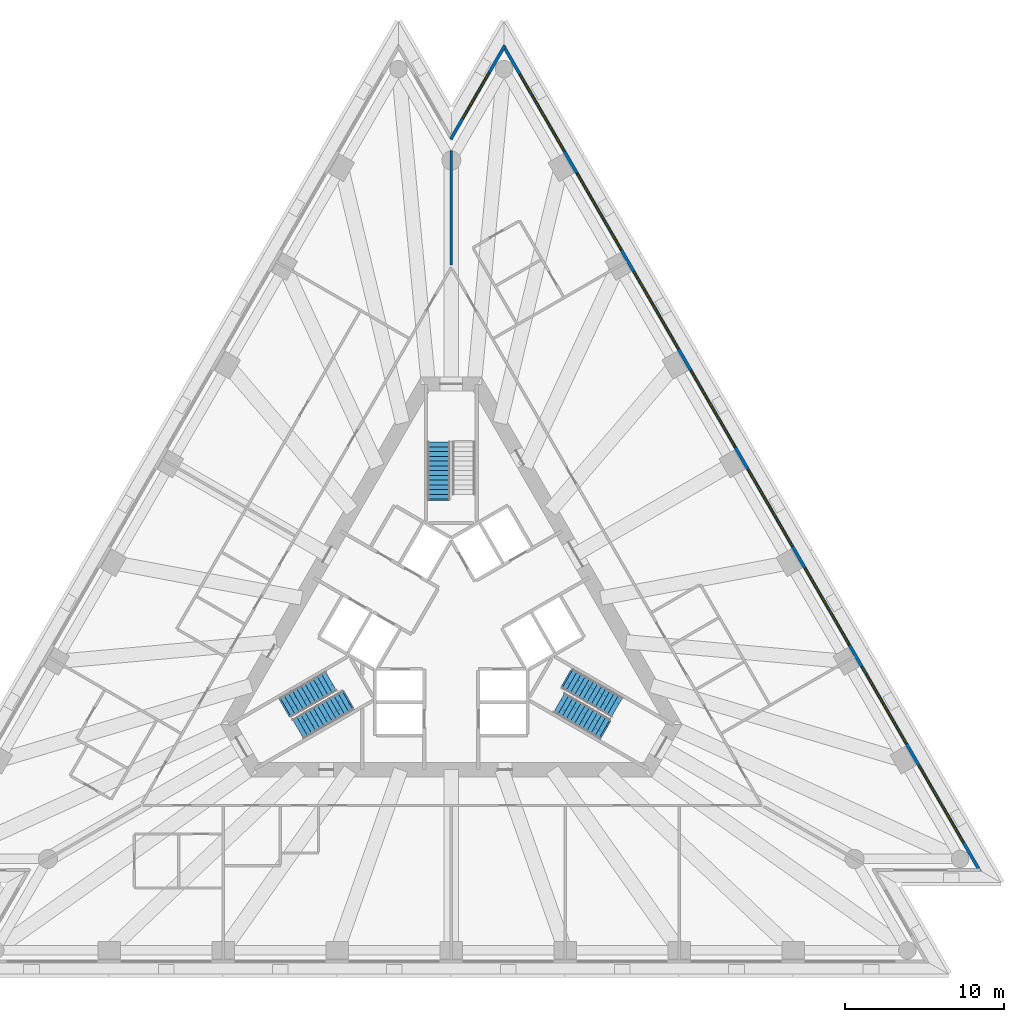
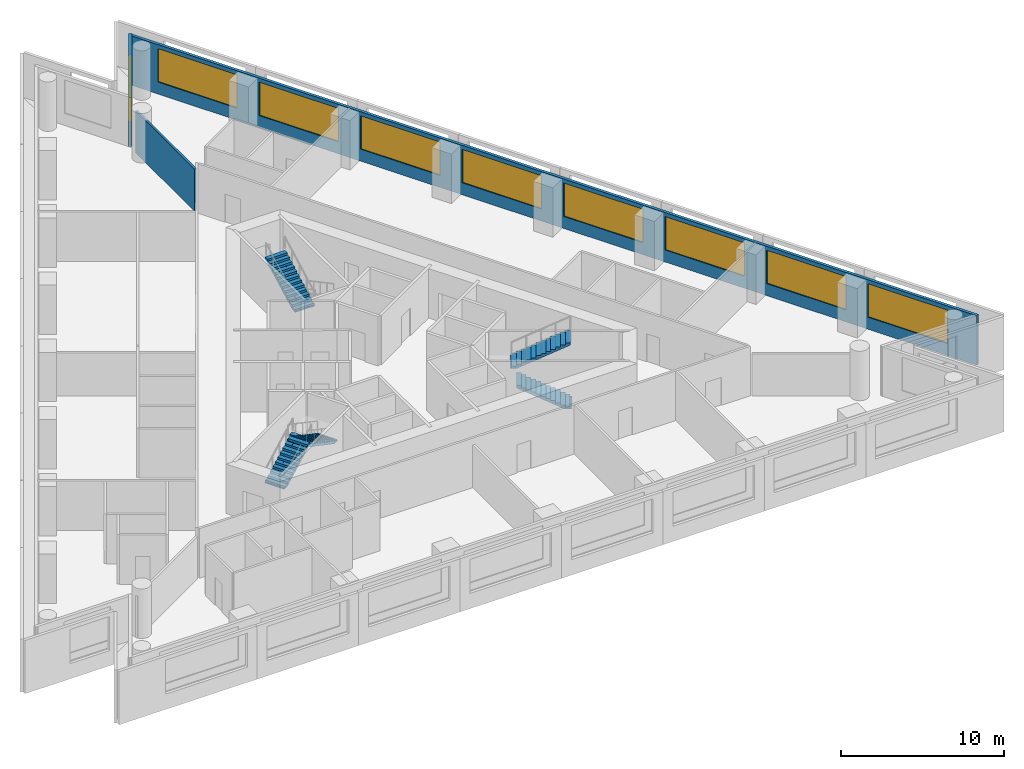
# One storey, part 8 of 11: 9 windows, 5 stair flights, 3 walls, 9 openings, 3 elements without a shape of their own.
"""IFC4 building model written with IfcOpenShell, lengths in metres."""

import ifcopenshell
import ifcopenshell.guid

model = None  # the IFC model being written
_history = None  # IfcOwnerHistory: only IFC2X3 demands one
_inside = {}  # id of a spatial element -> (the spatial element, [elements in it])
_under = {}  # id of a project, library or spatial element -> (it, [spatial elements below it])
_declared = {}  # id of a project -> (the project, [libraries it declares])
_typed = {}  # id of a type object -> (the type object, [elements of that type])
_made_of = {}  # id of a material, layer set ... -> (it, [elements and type objects made of it])


def new_model(schema):
    """Start an empty IFC model of exactly this schema.

    Asked for "IFC4X3", IfcOpenShell would pick the latest addendum, in which some entities
    have other attributes; the version numbers below select the first issue.
    IFC2X3 requires an IfcOwnerHistory on every rooted entity: one is made here for all.
    """
    global model, _history
    if schema == "IFC4X3":
        model = ifcopenshell.file(schema_version=(4, 3, 0, 0))
    else:
        model = ifcopenshell.file(schema=schema)
    _inside.clear()
    _under.clear()
    _declared.clear()
    _typed.clear()
    _made_of.clear()
    _history = None
    if model.schema == "IFC2X3":
        org = make("IfcOrganization", Name="unknown")
        user = make(
            "IfcPersonAndOrganization",
            ThePerson=make("IfcPerson", FamilyName="unknown"),
            TheOrganization=org,
        )
        app = make(
            "IfcApplication",
            ApplicationDeveloper=org,
            Version="unknown",
            ApplicationFullName="unknown",
            ApplicationIdentifier="unknown",
        )
        _history = make(
            "IfcOwnerHistory",
            OwningUser=user,
            OwningApplication=app,
            ChangeAction="ADDED",
            CreationDate=0,
        )
    return model


def make(cls, **values):
    """One entity of the class cls with the attributes given. An attribute that is None is left unset."""
    return model.create_entity(
        cls, **{name: value for name, value in values.items() if value is not None}
    )


def rooted(cls, **values):
    """An entity with a GlobalId (a new one), such as an element, a storey or a relation."""
    return make(cls, GlobalId=ifcopenshell.guid.new(), OwnerHistory=_history, **values)


def si_unit(unit_type, name, prefix=None):
    """IfcSIUnit, for example si_unit("LENGTHUNIT", "METRE", prefix="MILLI")."""
    return make("IfcSIUnit", UnitType=unit_type, Prefix=prefix, Name=name)


def assignment(units):
    """IfcUnitAssignment: the units of a project."""
    return None if units is None else make("IfcUnitAssignment", Units=units)


def point(xyz):
    """IfcCartesianPoint."""
    return None if xyz is None else make("IfcCartesianPoint", Coordinates=xyz)


def direction(xyz):
    """IfcDirection."""
    return None if xyz is None else make("IfcDirection", DirectionRatios=xyz)


def frame(location, z_axis=None, x_axis=None):
    """IfcAxis2Placement3D, a coordinate frame: its origin and axes. An axis left out is left unset."""
    return make(
        "IfcAxis2Placement3D",
        Location=point(location),
        Axis=direction(z_axis),
        RefDirection=direction(x_axis),
    )


def frame_2d(location, x_axis=None):
    """IfcAxis2Placement2D, a coordinate frame in the plane: its origin and x axis."""
    return make(
        "IfcAxis2Placement2D", Location=point(location), RefDirection=direction(x_axis)
    )


def origin():
    """The frame at (0, 0, 0) with its axes left unset."""
    return frame((0.0, 0.0, 0.0))


def place(relative_to, where):
    """IfcLocalPlacement: puts the frame where relative to a parent placement (None: the world)."""
    return make(
        "IfcLocalPlacement", PlacementRelTo=relative_to, RelativePlacement=where
    )


def context(
    kind, dimensions, precision=None, world=None, true_north=None, identifier=None
):
    """IfcGeometricRepresentationContext, for example the 3D "Model" context."""
    return make(
        "IfcGeometricRepresentationContext",
        ContextIdentifier=identifier,
        ContextType=kind,
        CoordinateSpaceDimension=dimensions,
        Precision=precision,
        WorldCoordinateSystem=world,
        TrueNorth=true_north,
    )


def subcontext(parent, identifier, kind, view, scale=None):
    """IfcGeometricRepresentationSubContext, for example "Body" below "Model"."""
    return make(
        "IfcGeometricRepresentationSubContext",
        ContextIdentifier=identifier,
        ContextType=kind,
        ParentContext=parent,
        TargetScale=scale,
        TargetView=view,
    )


def project(units=None, contexts=None):
    """IfcProject with its units and contexts."""
    return rooted(
        "IfcProject",
        Name="project",
        RepresentationContexts=contexts,
        UnitsInContext=assignment(units),
    )


def spatial(cls, under=None, at=None, **own):
    """A site, building, storey or space (cls), placed at a placement, below another one or the project."""
    s = rooted(cls, ObjectPlacement=at, **own)
    if under is not None:
        _under.setdefault(under.id(), (under, []))[1].append(s)
    return s


def polyline(points):
    """IfcPolyline through the points."""
    return make("IfcPolyline", Points=[point(p) for p in points])


def profile(cls, at=None, kind="AREA", **sizes):
    """A parametric profile (cls). Its sizes go by their IFC names, for example OverallWidth=200.0."""
    return make(cls, ProfileType=kind, Position=at, **sizes)


def rectangle(**sizes):
    """IfcRectangleProfileDef."""
    return profile("IfcRectangleProfileDef", **sizes)


def outline(outer, holes=None, kind="AREA"):
    """IfcArbitraryClosedProfileDef: a profile drawn as a closed curve; with holes, ...WithVoids."""
    if holes is None:
        return make("IfcArbitraryClosedProfileDef", ProfileType=kind, OuterCurve=outer)
    return make(
        "IfcArbitraryProfileDefWithVoids",
        ProfileType=kind,
        OuterCurve=outer,
        InnerCurves=holes,
    )


def extrude(swept, where, along, depth):
    """IfcExtrudedAreaSolid: the profile swept, set in the frame where, extruded along a direction by depth."""
    return make(
        "IfcExtrudedAreaSolid",
        SweptArea=swept,
        Position=where,
        ExtrudedDirection=direction(along),
        Depth=depth,
    )


def shape(context_of_items, identifier, shape_type, items):
    """IfcShapeRepresentation: the items that make up one representation, for example the "Body"."""
    return make(
        "IfcShapeRepresentation",
        ContextOfItems=context_of_items,
        RepresentationIdentifier=identifier,
        RepresentationType=shape_type,
        Items=items,
    )


def material(Name=None, Category=None):
    """IfcMaterial."""
    return make("IfcMaterial", Name=Name, Category=Category)


def layer(
    of_material, thickness, ventilated=None, Name=None, Category=None, Priority=None
):
    """IfcMaterialLayer: one layer of a wall or slab, of a material (None: an air gap)."""
    return make(
        "IfcMaterialLayer",
        Material=of_material,
        LayerThickness=thickness,
        IsVentilated=ventilated,
        Name=Name,
        Category=Category,
        Priority=Priority,
    )


def layer_set(layers, Name=None):
    """IfcMaterialLayerSet."""
    return make("IfcMaterialLayerSet", MaterialLayers=layers, LayerSetName=Name)


def layer_usage(for_layer_set, set_direction, sense, offset, extent=None):
    """IfcMaterialLayerSetUsage: how a layer set lies in its element."""
    return make(
        "IfcMaterialLayerSetUsage",
        ForLayerSet=for_layer_set,
        LayerSetDirection=set_direction,
        DirectionSense=sense,
        OffsetFromReferenceLine=offset,
        ReferenceExtent=extent,
    )


def made_of(thing, what):
    """Note that an element or type object is made of a material, layer set ...; save() writes the relation."""
    if what is not None:
        _made_of.setdefault(what.id(), (what, []))[1].append(thing)
    return thing


def type_object(cls, material=None, **own):
    """A type object (cls), such as IfcWallType, which elements share."""
    return made_of(rooted(cls, **own), material)


def element(
    cls,
    number,
    at=None,
    inside=None,
    cuts=None,
    type_object=None,
    material=None,
    context=None,
    identifier="Body",
    shape_type=None,
    held_by="IfcProductDefinitionShape",
    body=None,
    shapes=None,
    **own,
):
    """One element of the class cls, such as IfcWall. Its Tag is "e" and its number.

    at: its placement. inside: the storey or other place that contains it. cuts: it is an
    opening in that element (IfcRelVoidsElement). A single representation is given by context,
    identifier, shape_type and body (its items); several are given by shapes. held_by: the class
    of the entity that holds the representations. save() writes the other relations.
    """
    e = rooted(cls, Tag="e%d" % number, ObjectPlacement=at, **own)
    if body is not None:
        shapes = [shape(context, identifier, shape_type, body)]
    if shapes is not None:
        e.Representation = make(held_by, Representations=shapes)
    if inside is not None:
        _inside.setdefault(inside.id(), (inside, []))[1].append(e)
    if cuts is not None:
        rooted(
            "IfcRelVoidsElement", RelatingBuildingElement=cuts, RelatedOpeningElement=e
        )
    if type_object is not None:
        _typed.setdefault(type_object.id(), (type_object, []))[1].append(e)
    return made_of(e, material)


def fill(opening, filler):
    """IfcRelFillsElement: the door or window that sits in an opening."""
    return rooted(
        "IfcRelFillsElement",
        RelatingOpeningElement=opening,
        RelatedBuildingElement=filler,
    )


def aggregate(whole, parts):
    """IfcRelAggregates: a whole, such as a stair, and the parts it consists of."""
    return rooted("IfcRelAggregates", RelatingObject=whole, RelatedObjects=parts)


def save(model, path):
    """Write the relations noted so far, then the file.

    IfcRelAggregates (storeys below a building ...), IfcRelContainedInSpatialStructure (elements
    in a storey), IfcRelDefinesByType, IfcRelAssociatesMaterial and IfcRelDeclares: one each for
    every whole, place, type object, material and project.
    """
    for whole, parts in _under.values():
        aggregate(whole, parts)
    for where, things in _inside.values():
        rooted(
            "IfcRelContainedInSpatialStructure",
            RelatedElements=things,
            RelatingStructure=where,
        )
    for kind, things in _typed.values():
        rooted("IfcRelDefinesByType", RelatedObjects=things, RelatingType=kind)
    for what, things in _made_of.values():
        rooted("IfcRelAssociatesMaterial", RelatedObjects=things, RelatingMaterial=what)
    for by, libraries in _declared.values():
        rooted("IfcRelDeclares", RelatingContext=by, RelatedDefinitions=libraries)
    model.write(path)


model = new_model("IFC4")

# Units and contexts
model_context = context("Model", 3, precision=1e-05, world=origin(), true_north=direction((0.0, 1.0)))
body_context = subcontext(model_context, "Body", "Model", "MODEL_VIEW")
ifc_project = project(units=[si_unit("LENGTHUNIT", "METRE"), si_unit("AREAUNIT", "SQUARE_METRE"), si_unit("VOLUMEUNIT", "CUBIC_METRE"), si_unit("PLANEANGLEUNIT", "RADIAN"), si_unit("MASSUNIT", "GRAM", prefix="KILO")], contexts=[model_context])

# Site, building, storey
site_placement = place(None, origin())
site = spatial("IfcSite", under=ifc_project, at=site_placement, CompositionType="ELEMENT")
building_placement = place(site_placement, origin())
building = spatial("IfcBuilding", under=site, at=building_placement, Name="Triada Interchange Tower", CompositionType="ELEMENT")
storey_placement = place(building_placement, frame((0.0, 0.0, 91.300048828125)))
storey = spatial("IfcBuildingStorey", under=building, at=storey_placement, Name="L20", CompositionType="ELEMENT", Elevation=91.300048828125)

# Wall, openings, windows
ifc_material_1 = material(Name="Cement board")
ifc_layer_1 = layer(ifc_material_1, 0.02001953125, Name="Cement board cladding")
ifc_material_2 = material(Name="Sheathing board")
ifc_layer_2 = layer(ifc_material_2, 0.014892578125, Name="Sheathing board")
ifc_material_3 = material(Name="Mineral wool")
ifc_layer_3 = layer(ifc_material_3, 0.14990234375, Name="Mineral wool between steel studs")
ifc_material_4 = material(Name="Gypsum board")
ifc_layer_4 = layer(ifc_material_4, 0.014892578125, Name="Plasterboard lining")
ifc_layer_set_1 = layer_set([ifc_layer_1, ifc_layer_2, ifc_layer_3, ifc_layer_4], Name="External wall 200")
ifc_layer_usage = layer_usage(ifc_layer_set_1, "AXIS2", "POSITIVE", -0.10009765625)
wall_type_1 = type_object("IfcWallType", Name="External wall 200", PredefinedType="ELEMENTEDWALL", material=ifc_layer_set_1)
wall_1_placement = place(storey_placement, frame((33.31689453125, -15.447998046875, 0.0), z_axis=(0.0, 0.0, 1.0), x_axis=(-0.499999874703, 0.866025476125, 0.0)))
wall_1 = element("IfcWall", 1, at=wall_1_placement, inside=storey, type_object=wall_type_1, material=ifc_layer_usage, Name="External wall L20 NE", PredefinedType="ELEMENTEDWALL", context=body_context, shape_type="SweptSolid", body=[
    extrude(rectangle(XDim=60.0537109375, YDim=0.199951171875, at=frame_2d((30.02685546875, 0.0))), origin(), (0.0, 0.0, 1.0), 3.699951171875),
])
opening_1_placement = place(wall_1_placement, frame((2.093994140625, 0.0, 0.89990234375)))
opening_1 = element("IfcOpeningElement", 2, at=opening_1_placement, cuts=wall_1, Name="Opening WA21", PredefinedType="OPENING", context=body_context, shape_type="SweptSolid", body=[
    extrude(rectangle(XDim=5.60009765625, YDim=2.5, at=frame_2d((2.800048828125, 1.25))), frame((0.0, 0.10986328125, 0.0), z_axis=(0.0, -1.0, 0.0), x_axis=(1.0, 0.0, 0.0)), (0.0, 0.0, 1.0), 0.219970703125),
])
opening_2_placement = place(wall_1_placement, frame((9.278076171875, 0.0, 0.89990234375)))
opening_2 = element("IfcOpeningElement", 3, at=opening_2_placement, cuts=wall_1, Name="Opening WA22", PredefinedType="OPENING", context=body_context, shape_type="SweptSolid", body=[
    extrude(rectangle(XDim=5.60009765625, YDim=2.5, at=frame_2d((2.800048828125, 1.25))), frame((0.0, 0.10986328125, 0.0), z_axis=(0.0, -1.0, 0.0), x_axis=(1.0, 0.0, 0.0)), (0.0, 0.0, 1.0), 0.219970703125),
])
opening_3_placement = place(wall_1_placement, frame((16.4619140625, 0.0, 0.89990234375)))
opening_3 = element("IfcOpeningElement", 4, at=opening_3_placement, cuts=wall_1, Name="Opening WA23", PredefinedType="OPENING", context=body_context, shape_type="SweptSolid", body=[
    extrude(rectangle(XDim=5.60009765625, YDim=2.5, at=frame_2d((2.800048828125, 1.25))), frame((0.0, 0.10986328125, 0.0), z_axis=(0.0, -1.0, 0.0), x_axis=(1.0, 0.0, 0.0)), (0.0, 0.0, 1.0), 0.219970703125),
])
opening_4_placement = place(wall_1_placement, frame((23.64501953125, 0.0, 0.89990234375)))
opening_4 = element("IfcOpeningElement", 5, at=opening_4_placement, cuts=wall_1, Name="Opening WA24", PredefinedType="OPENING", context=body_context, shape_type="SweptSolid", body=[
    extrude(rectangle(XDim=5.60009765625, YDim=2.5, at=frame_2d((2.800048828125, 1.25))), frame((0.0, 0.10986328125, 0.0), z_axis=(0.0, -1.0, 0.0), x_axis=(1.0, 0.0, 0.0)), (0.0, 0.0, 1.0), 0.219970703125),
])
opening_5_placement = place(wall_1_placement, frame((30.8291015625, 0.0, 0.89990234375)))
opening_5 = element("IfcOpeningElement", 6, at=opening_5_placement, cuts=wall_1, Name="Opening WA25", PredefinedType="OPENING", context=body_context, shape_type="SweptSolid", body=[
    extrude(rectangle(XDim=5.60009765625, YDim=2.5, at=frame_2d((2.800048828125, 1.25))), frame((0.0, 0.10986328125, 0.0), z_axis=(0.0, -1.0, 0.0), x_axis=(1.0, 0.0, 0.0)), (0.0, 0.0, 1.0), 0.219970703125),
])
opening_6_placement = place(wall_1_placement, frame((38.011962890625, 0.0, 0.89990234375)))
opening_6 = element("IfcOpeningElement", 7, at=opening_6_placement, cuts=wall_1, Name="Opening WA26", PredefinedType="OPENING", context=body_context, shape_type="SweptSolid", body=[
    extrude(rectangle(XDim=5.60009765625, YDim=2.5, at=frame_2d((2.800048828125, 1.25))), frame((0.0, 0.10986328125, 0.0), z_axis=(0.0, -1.0, 0.0), x_axis=(1.0, 0.0, 0.0)), (0.0, 0.0, 1.0), 0.219970703125),
])
opening_7_placement = place(wall_1_placement, frame((45.196044921875, 0.0, 0.89990234375)))
opening_7 = element("IfcOpeningElement", 8, at=opening_7_placement, cuts=wall_1, Name="Opening WA27", PredefinedType="OPENING", context=body_context, shape_type="SweptSolid", body=[
    extrude(rectangle(XDim=5.60009765625, YDim=2.5, at=frame_2d((2.800048828125, 1.25))), frame((0.0, 0.10986328125, 0.0), z_axis=(0.0, -1.0, 0.0), x_axis=(1.0, 0.0, 0.0)), (0.0, 0.0, 1.0), 0.219970703125),
])
opening_8_placement = place(wall_1_placement, frame((52.37890625, 0.0, 0.89990234375)))
opening_8 = element("IfcOpeningElement", 9, at=opening_8_placement, cuts=wall_1, Name="Opening WA28", PredefinedType="OPENING", context=body_context, shape_type="SweptSolid", body=[
    extrude(rectangle(XDim=5.60009765625, YDim=2.5, at=frame_2d((2.800048828125, 1.25))), frame((0.0, 0.10986328125, 0.0), z_axis=(0.0, -1.0, 0.0), x_axis=(1.0, 0.0, 0.0)), (0.0, 0.0, 1.0), 0.219970703125),
])
ifc_material_5 = material(Name="Double glazed aluminium window", Category="aluminium")
window_type_1 = type_object("IfcWindowType", Name="Ribbon window A face", PartitioningType="SINGLE_PANEL", PredefinedType="WINDOW", material=ifc_material_5)
window_1_placement = place(opening_1_placement, origin())
window_1 = element("IfcWindow", 10, at=window_1_placement, inside=storey, type_object=window_type_1, Name="Window L20 NE 1", OverallHeight=2.5, OverallWidth=5.60009765625, PartitioningType="SINGLE_PANEL", PredefinedType="WINDOW", context=body_context, shape_type="SweptSolid", body=[
    extrude(rectangle(XDim=5.60009765625, YDim=2.5, at=frame_2d((2.800048828125, 1.25))), frame((0.0, 0.030029296875, 0.0), z_axis=(0.0, -1.0, 0.0), x_axis=(1.0, 0.0, 0.0)), (0.0, 0.0, 1.0), 0.06005859375),
])
fill(opening_1, window_1)
window_2_placement = place(opening_2_placement, origin())
window_2 = element("IfcWindow", 11, at=window_2_placement, inside=storey, type_object=window_type_1, Name="Window L20 NE 2", OverallHeight=2.5, OverallWidth=5.60009765625, PartitioningType="SINGLE_PANEL", PredefinedType="WINDOW", context=body_context, shape_type="SweptSolid", body=[
    extrude(rectangle(XDim=5.60009765625, YDim=2.5, at=frame_2d((2.800048828125, 1.25))), frame((0.0, 0.030029296875, 0.0), z_axis=(0.0, -1.0, 0.0), x_axis=(1.0, 0.0, 0.0)), (0.0, 0.0, 1.0), 0.06005859375),
])
fill(opening_2, window_2)
window_3_placement = place(opening_3_placement, origin())
window_3 = element("IfcWindow", 12, at=window_3_placement, inside=storey, type_object=window_type_1, Name="Window L20 NE 3", OverallHeight=2.5, OverallWidth=5.60009765625, PartitioningType="SINGLE_PANEL", PredefinedType="WINDOW", context=body_context, shape_type="SweptSolid", body=[
    extrude(rectangle(XDim=5.60009765625, YDim=2.5, at=frame_2d((2.800048828125, 1.25))), frame((0.0, 0.030029296875, 0.0), z_axis=(0.0, -1.0, 0.0), x_axis=(1.0, 0.0, 0.0)), (0.0, 0.0, 1.0), 0.06005859375),
])
fill(opening_3, window_3)
window_4_placement = place(opening_4_placement, origin())
window_4 = element("IfcWindow", 13, at=window_4_placement, inside=storey, type_object=window_type_1, Name="Window L20 NE 4", OverallHeight=2.5, OverallWidth=5.60009765625, PartitioningType="SINGLE_PANEL", PredefinedType="WINDOW", context=body_context, shape_type="SweptSolid", body=[
    extrude(rectangle(XDim=5.60009765625, YDim=2.5, at=frame_2d((2.800048828125, 1.25))), frame((0.0, 0.030029296875, 0.0), z_axis=(0.0, -1.0, 0.0), x_axis=(1.0, 0.0, 0.0)), (0.0, 0.0, 1.0), 0.06005859375),
])
fill(opening_4, window_4)
window_5_placement = place(opening_5_placement, origin())
window_5 = element("IfcWindow", 14, at=window_5_placement, inside=storey, type_object=window_type_1, Name="Window L20 NE 5", OverallHeight=2.5, OverallWidth=5.60009765625, PartitioningType="SINGLE_PANEL", PredefinedType="WINDOW", context=body_context, shape_type="SweptSolid", body=[
    extrude(rectangle(XDim=5.60009765625, YDim=2.5, at=frame_2d((2.800048828125, 1.25))), frame((0.0, 0.030029296875, 0.0), z_axis=(0.0, -1.0, 0.0), x_axis=(1.0, 0.0, 0.0)), (0.0, 0.0, 1.0), 0.06005859375),
])
fill(opening_5, window_5)
window_6_placement = place(opening_6_placement, origin())
window_6 = element("IfcWindow", 15, at=window_6_placement, inside=storey, type_object=window_type_1, Name="Window L20 NE 6", OverallHeight=2.5, OverallWidth=5.60009765625, PartitioningType="SINGLE_PANEL", PredefinedType="WINDOW", context=body_context, shape_type="SweptSolid", body=[
    extrude(rectangle(XDim=5.60009765625, YDim=2.5, at=frame_2d((2.800048828125, 1.25))), frame((0.0, 0.030029296875, 0.0), z_axis=(0.0, -1.0, 0.0), x_axis=(1.0, 0.0, 0.0)), (0.0, 0.0, 1.0), 0.06005859375),
])
fill(opening_6, window_6)
window_7_placement = place(opening_7_placement, origin())
window_7 = element("IfcWindow", 16, at=window_7_placement, inside=storey, type_object=window_type_1, Name="Window L20 NE 7", OverallHeight=2.5, OverallWidth=5.60009765625, PartitioningType="SINGLE_PANEL", PredefinedType="WINDOW", context=body_context, shape_type="SweptSolid", body=[
    extrude(rectangle(XDim=5.60009765625, YDim=2.5, at=frame_2d((2.800048828125, 1.25))), frame((0.0, 0.030029296875, 0.0), z_axis=(0.0, -1.0, 0.0), x_axis=(1.0, 0.0, 0.0)), (0.0, 0.0, 1.0), 0.06005859375),
])
fill(opening_7, window_7)
window_8_placement = place(opening_8_placement, origin())
window_8 = element("IfcWindow", 17, at=window_8_placement, inside=storey, type_object=window_type_1, Name="Window L20 NE 8", OverallHeight=2.5, OverallWidth=5.60009765625, PartitioningType="SINGLE_PANEL", PredefinedType="WINDOW", context=body_context, shape_type="SweptSolid", body=[
    extrude(rectangle(XDim=5.60009765625, YDim=2.5, at=frame_2d((2.800048828125, 1.25))), frame((0.0, 0.030029296875, 0.0), z_axis=(0.0, -1.0, 0.0), x_axis=(1.0, 0.0, 0.0)), (0.0, 0.0, 1.0), 0.06005859375),
])
fill(opening_8, window_8)

# Wall, opening, window
wall_2_placement = place(storey_placement, frame((3.3701171875, 36.576904296875, 0.0), z_axis=(0.0, 0.0, 1.0), x_axis=(-0.499983120418, -0.866035148996, 0.0)))
wall_2 = element("IfcWall", 18, at=wall_2_placement, inside=storey, type_object=wall_type_1, material=ifc_layer_usage, Name="External wall L20 N-1", PredefinedType="ELEMENTEDWALL", context=body_context, shape_type="SweptSolid", body=[
    extrude(rectangle(XDim=6.810302734375, YDim=0.199951171875, at=frame_2d((3.4052734375, 0.0))), origin(), (0.0, 0.0, 1.0), 3.699951171875),
])
opening_9_placement = place(wall_2_placement, frame((1.989990234375, 0.0, 0.89990234375)))
opening_9 = element("IfcOpeningElement", 19, at=opening_9_placement, cuts=wall_2, Name="Opening WA29", PredefinedType="OPENING", context=body_context, shape_type="SweptSolid", body=[
    extrude(rectangle(XDim=3.300048828125, YDim=2.5, at=frame_2d((1.64990234375, 1.25))), frame((0.0, 0.10986328125, 0.0), z_axis=(0.0, -1.0, 0.0), x_axis=(1.0, 0.0, 0.0)), (0.0, 0.0, 1.0), 0.219970703125),
])
window_type_2 = type_object("IfcWindowType", Name="Ribbon window A pocket", PartitioningType="SINGLE_PANEL", PredefinedType="WINDOW", material=ifc_material_5)
window_9_placement = place(opening_9_placement, origin())
window_9 = element("IfcWindow", 20, at=window_9_placement, inside=storey, type_object=window_type_2, Name="Window L20 N-1 1", OverallHeight=2.5, OverallWidth=3.300048828125, PartitioningType="SINGLE_PANEL", PredefinedType="WINDOW", context=body_context, shape_type="SweptSolid", body=[
    extrude(rectangle(XDim=3.300048828125, YDim=2.5, at=frame_2d((1.64990234375, 1.25))), frame((0.0, 0.030029296875, 0.0), z_axis=(0.0, -1.0, 0.0), x_axis=(1.0, 0.0, 0.0)), (0.0, 0.0, 1.0), 0.06005859375),
])
fill(opening_9, window_9)

# Wall
ifc_material_6 = material(Name="Gypsum board partition")
ifc_layer_5 = layer(ifc_material_6, 0.14990234375)
ifc_layer_set_2 = layer_set([ifc_layer_5], Name="PARTITION 150 EI 180")
wall_type_2 = type_object("IfcWallType", Name="PARTITION 150 EI 180", PredefinedType="PARTITIONING", material=ifc_layer_set_2)
wall_3_placement = place(storey_placement, frame((0.0, 22.75, 0.0), z_axis=(0.0, 0.0, 1.0), x_axis=(0.0, 1.0, 0.0)))
element("IfcWall", 21, at=wall_3_placement, inside=storey, type_object=wall_type_2, Name="Wall L18 18", PredefinedType="PARTITIONING", context=body_context, shape_type="SweptSolid", body=[
    extrude(rectangle(XDim=7.2099609375, YDim=0.14990234375, at=frame_2d((3.60498046875, 0.0))), origin(), (0.0, 0.0, 1.0), 3.14990234375),
])

# Stair, stair flight
ifc_material_7 = material(Name="Concrete C35/45", Category="concrete")
stair_type = type_object("IfcStairType", Name="HALF TURN STAIR 1400", PredefinedType="HALF_TURN_STAIR", material=ifc_material_7)
stair_1_placement = place(storey_placement, origin())
stair_1 = element("IfcStair", 22, at=stair_1_placement, inside=storey, type_object=stair_type, Name="Exit stair S18-1", PredefinedType="HALF_TURN_STAIR")
stair_flight_type = type_object("IfcStairFlightType", Name="STRAIGHT STAIR FLIGHT 1400", PredefinedType="STRAIGHT", material=ifc_material_7)
stair_flight_1_placement = place(storey_placement, frame((-0.800048828125, 8.0, 1.919921875), z_axis=(0.0, 0.0, 1.0), x_axis=(0.0, 1.0, 0.0)))
stair_flight_1 = element("IfcStairFlight", 23, at=stair_flight_1_placement, type_object=stair_flight_type, Name="S18-1 flight 2", NumberOfRisers=13, NumberOfTreads=12, PredefinedType="STRAIGHT", RiserHeight=0.16, TreadLength=0.3, context=body_context, shape_type="SweptSolid", body=[
    extrude(outline(polyline([(-0.10009765625, 0.0), (-0.10009765625, 0.02001953125), (0.0, 0.02001953125), (0.0, 0.159912109375), (0.300048828125, 0.159912109375), (0.300048828125, 0.320068359375), (0.60009765625, 0.320068359375), (0.60009765625, 0.47998046875), (0.89990234375, 0.47998046875), (0.89990234375, 0.639892578125), (1.199951171875, 0.639892578125), (1.199951171875, 0.800048828125), (1.5, 0.800048828125), (1.5, 0.9599609375), (1.800048828125, 0.9599609375), (1.800048828125, 1.1201171875), (2.10009765625, 1.1201171875), (2.10009765625, 1.280029296875), (2.39990234375, 1.280029296875), (2.39990234375, 1.43994140625), (2.699951171875, 1.43994140625), (2.699951171875, 1.60009765625), (3.0, 1.60009765625), (3.0, 1.760009765625), (3.300048828125, 1.760009765625), (3.300048828125, 1.919921875), (3.60009765625, 1.919921875), (3.60400390625, 1.919921875), (3.60400390625, 2.080078125), (3.60400390625, 1.75), (0.318603515625, 0.0), (-0.10009765625, 0.0)])), frame((0.0, 0.699951171875, 0.0), z_axis=(0.0, -1.0, 0.0), x_axis=(1.0, 0.0, 0.0)), (0.0, 0.0, 1.0), 0.46533203125),
    extrude(outline(polyline([(-0.10009765625, 0.0), (-0.10009765625, 0.02001953125), (0.0, 0.02001953125), (0.0, 0.159912109375), (0.300048828125, 0.159912109375), (0.300048828125, 0.320068359375), (0.60009765625, 0.320068359375), (0.60009765625, 0.47998046875), (0.89990234375, 0.47998046875), (0.89990234375, 0.639892578125), (1.199951171875, 0.639892578125), (1.199951171875, 0.800048828125), (1.5, 0.800048828125), (1.5, 0.9599609375), (1.800048828125, 0.9599609375), (1.800048828125, 1.1201171875), (2.10009765625, 1.1201171875), (2.10009765625, 1.280029296875), (2.39990234375, 1.280029296875), (2.39990234375, 1.43994140625), (2.699951171875, 1.43994140625), (2.699951171875, 1.60009765625), (3.0, 1.60009765625), (3.0, 1.760009765625), (3.300048828125, 1.760009765625), (3.300048828125, 1.919921875), (3.60009765625, 1.919921875), (3.60400390625, 1.919921875), (3.60400390625, 2.080078125), (3.60400390625, 1.75), (0.318603515625, 0.0), (-0.10009765625, 0.0)])), frame((0.0, 0.232666015625, 0.0), z_axis=(0.0, -1.0, 0.0), x_axis=(1.0, 0.0, 0.0)), (0.0, 0.0, 1.0), 0.46533203125),
    extrude(outline(polyline([(-0.10009765625, 0.0), (-0.10009765625, 0.02001953125), (0.0, 0.02001953125), (0.0, 0.159912109375), (0.300048828125, 0.159912109375), (0.300048828125, 0.320068359375), (0.60009765625, 0.320068359375), (0.60009765625, 0.47998046875), (0.89990234375, 0.47998046875), (0.89990234375, 0.639892578125), (1.199951171875, 0.639892578125), (1.199951171875, 0.800048828125), (1.5, 0.800048828125), (1.5, 0.9599609375), (1.800048828125, 0.9599609375), (1.800048828125, 1.1201171875), (2.10009765625, 1.1201171875), (2.10009765625, 1.280029296875), (2.39990234375, 1.280029296875), (2.39990234375, 1.43994140625), (2.699951171875, 1.43994140625), (2.699951171875, 1.60009765625), (3.0, 1.60009765625), (3.0, 1.760009765625), (3.300048828125, 1.760009765625), (3.300048828125, 1.919921875), (3.60009765625, 1.919921875), (3.60400390625, 1.919921875), (3.60400390625, 2.080078125), (3.60400390625, 1.75), (0.318603515625, 0.0), (-0.10009765625, 0.0)])), frame((0.0, -0.234619140625, 0.0), z_axis=(0.0, -1.0, 0.0), x_axis=(1.0, 0.0, 0.0)), (0.0, 0.0, 1.0), 0.46533203125),
])
aggregate(stair_1, [stair_flight_1])

# Stair, stair flights
stair_2_placement = place(storey_placement, origin())
stair_2 = element("IfcStair", 24, at=stair_2_placement, inside=storey, type_object=stair_type, Name="Exit stair S18-2", PredefinedType="HALF_TURN_STAIR")
stair_flight_2_placement = place(storey_placement, frame((-10.446044921875, -5.10693359375, 0.0), z_axis=(0.0, 0.0, 1.0), x_axis=(0.866025403784, 0.5, 0.0)))
stair_flight_2 = element("IfcStairFlight", 25, at=stair_flight_2_placement, type_object=stair_flight_type, Name="S18-2 flight 1", NumberOfRisers=12, NumberOfTreads=11, PredefinedType="STRAIGHT", RiserHeight=0.16, TreadLength=0.3, context=body_context, shape_type="SweptSolid", body=[
    extrude(outline(polyline([(-0.10009765625, 0.0), (-0.10009765625, 0.02001953125), (0.0, 0.02001953125), (0.0, 0.159912109375), (0.300048828125, 0.159912109375), (0.300048828125, 0.320068359375), (0.60009765625, 0.320068359375), (0.60009765625, 0.47998046875), (0.89990234375, 0.47998046875), (0.89990234375, 0.639892578125), (1.199951171875, 0.639892578125), (1.199951171875, 0.800048828125), (1.5, 0.800048828125), (1.5, 0.9599609375), (1.800048828125, 0.9599609375), (1.800048828125, 1.1201171875), (2.10009765625, 1.1201171875), (2.10009765625, 1.280029296875), (2.39990234375, 1.280029296875), (2.39990234375, 1.43994140625), (2.699951171875, 1.43994140625), (2.699951171875, 1.60009765625), (3.0, 1.60009765625), (3.0, 1.760009765625), (3.300048828125, 1.760009765625), (3.303955078125, 1.760009765625), (3.303955078125, 1.919921875), (3.303955078125, 1.590087890625), (0.318603515625, 0.0), (-0.10009765625, 0.0)])), frame((0.0, 0.699951171875, 0.0), z_axis=(0.0, -1.0, 0.0), x_axis=(1.0, 0.0, 0.0)), (0.0, 0.0, 1.0), 0.46533203125),
    extrude(outline(polyline([(-0.10009765625, 0.0), (-0.10009765625, 0.02001953125), (0.0, 0.02001953125), (0.0, 0.159912109375), (0.300048828125, 0.159912109375), (0.300048828125, 0.320068359375), (0.60009765625, 0.320068359375), (0.60009765625, 0.47998046875), (0.89990234375, 0.47998046875), (0.89990234375, 0.639892578125), (1.199951171875, 0.639892578125), (1.199951171875, 0.800048828125), (1.5, 0.800048828125), (1.5, 0.9599609375), (1.800048828125, 0.9599609375), (1.800048828125, 1.1201171875), (2.10009765625, 1.1201171875), (2.10009765625, 1.280029296875), (2.39990234375, 1.280029296875), (2.39990234375, 1.43994140625), (2.699951171875, 1.43994140625), (2.699951171875, 1.60009765625), (3.0, 1.60009765625), (3.0, 1.760009765625), (3.300048828125, 1.760009765625), (3.303955078125, 1.760009765625), (3.303955078125, 1.919921875), (3.303955078125, 1.590087890625), (0.318603515625, 0.0), (-0.10009765625, 0.0)])), frame((0.0, 0.232666015625, 0.0), z_axis=(0.0, -1.0, 0.0), x_axis=(1.0, 0.0, 0.0)), (0.0, 0.0, 1.0), 0.46533203125),
    extrude(outline(polyline([(-0.10009765625, 0.0), (-0.10009765625, 0.02001953125), (0.0, 0.02001953125), (0.0, 0.159912109375), (0.300048828125, 0.159912109375), (0.300048828125, 0.320068359375), (0.60009765625, 0.320068359375), (0.60009765625, 0.47998046875), (0.89990234375, 0.47998046875), (0.89990234375, 0.639892578125), (1.199951171875, 0.639892578125), (1.199951171875, 0.800048828125), (1.5, 0.800048828125), (1.5, 0.9599609375), (1.800048828125, 0.9599609375), (1.800048828125, 1.1201171875), (2.10009765625, 1.1201171875), (2.10009765625, 1.280029296875), (2.39990234375, 1.280029296875), (2.39990234375, 1.43994140625), (2.699951171875, 1.43994140625), (2.699951171875, 1.60009765625), (3.0, 1.60009765625), (3.0, 1.760009765625), (3.300048828125, 1.760009765625), (3.303955078125, 1.760009765625), (3.303955078125, 1.919921875), (3.303955078125, 1.590087890625), (0.318603515625, 0.0), (-0.10009765625, 0.0)])), frame((0.0, -0.234619140625, 0.0), z_axis=(0.0, -1.0, 0.0), x_axis=(1.0, 0.0, 0.0)), (0.0, 0.0, 1.0), 0.46533203125),
])
stair_flight_3_placement = place(storey_placement, frame((-6.528076171875, -4.693115234375, 1.919921875), z_axis=(0.0, 0.0, 1.0), x_axis=(-0.866025403784, -0.5, 0.0)))
stair_flight_3 = element("IfcStairFlight", 26, at=stair_flight_3_placement, type_object=stair_flight_type, Name="S18-2 flight 2", NumberOfRisers=13, NumberOfTreads=12, PredefinedType="STRAIGHT", RiserHeight=0.16, TreadLength=0.3, context=body_context, shape_type="SweptSolid", body=[
    extrude(outline(polyline([(-0.10009765625, 0.0), (-0.10009765625, 0.02001953125), (0.0, 0.02001953125), (0.0, 0.159912109375), (0.300048828125, 0.159912109375), (0.300048828125, 0.320068359375), (0.60009765625, 0.320068359375), (0.60009765625, 0.47998046875), (0.89990234375, 0.47998046875), (0.89990234375, 0.639892578125), (1.199951171875, 0.639892578125), (1.199951171875, 0.800048828125), (1.5, 0.800048828125), (1.5, 0.9599609375), (1.800048828125, 0.9599609375), (1.800048828125, 1.1201171875), (2.10009765625, 1.1201171875), (2.10009765625, 1.280029296875), (2.39990234375, 1.280029296875), (2.39990234375, 1.43994140625), (2.699951171875, 1.43994140625), (2.699951171875, 1.60009765625), (3.0, 1.60009765625), (3.0, 1.760009765625), (3.300048828125, 1.760009765625), (3.300048828125, 1.919921875), (3.60009765625, 1.919921875), (3.60400390625, 1.919921875), (3.60400390625, 2.080078125), (3.60400390625, 1.75), (0.318603515625, 0.0), (-0.10009765625, 0.0)])), frame((0.0, 0.699951171875, 0.0), z_axis=(0.0, -1.0, 0.0), x_axis=(1.0, 0.0, 0.0)), (0.0, 0.0, 1.0), 0.46533203125),
    extrude(outline(polyline([(-0.10009765625, 0.0), (-0.10009765625, 0.02001953125), (0.0, 0.02001953125), (0.0, 0.159912109375), (0.300048828125, 0.159912109375), (0.300048828125, 0.320068359375), (0.60009765625, 0.320068359375), (0.60009765625, 0.47998046875), (0.89990234375, 0.47998046875), (0.89990234375, 0.639892578125), (1.199951171875, 0.639892578125), (1.199951171875, 0.800048828125), (1.5, 0.800048828125), (1.5, 0.9599609375), (1.800048828125, 0.9599609375), (1.800048828125, 1.1201171875), (2.10009765625, 1.1201171875), (2.10009765625, 1.280029296875), (2.39990234375, 1.280029296875), (2.39990234375, 1.43994140625), (2.699951171875, 1.43994140625), (2.699951171875, 1.60009765625), (3.0, 1.60009765625), (3.0, 1.760009765625), (3.300048828125, 1.760009765625), (3.300048828125, 1.919921875), (3.60009765625, 1.919921875), (3.60400390625, 1.919921875), (3.60400390625, 2.080078125), (3.60400390625, 1.75), (0.318603515625, 0.0), (-0.10009765625, 0.0)])), frame((0.0, 0.232666015625, 0.0), z_axis=(0.0, -1.0, 0.0), x_axis=(1.0, 0.0, 0.0)), (0.0, 0.0, 1.0), 0.46533203125),
    extrude(outline(polyline([(-0.10009765625, 0.0), (-0.10009765625, 0.02001953125), (0.0, 0.02001953125), (0.0, 0.159912109375), (0.300048828125, 0.159912109375), (0.300048828125, 0.320068359375), (0.60009765625, 0.320068359375), (0.60009765625, 0.47998046875), (0.89990234375, 0.47998046875), (0.89990234375, 0.639892578125), (1.199951171875, 0.639892578125), (1.199951171875, 0.800048828125), (1.5, 0.800048828125), (1.5, 0.9599609375), (1.800048828125, 0.9599609375), (1.800048828125, 1.1201171875), (2.10009765625, 1.1201171875), (2.10009765625, 1.280029296875), (2.39990234375, 1.280029296875), (2.39990234375, 1.43994140625), (2.699951171875, 1.43994140625), (2.699951171875, 1.60009765625), (3.0, 1.60009765625), (3.0, 1.760009765625), (3.300048828125, 1.760009765625), (3.300048828125, 1.919921875), (3.60009765625, 1.919921875), (3.60400390625, 1.919921875), (3.60400390625, 2.080078125), (3.60400390625, 1.75), (0.318603515625, 0.0), (-0.10009765625, 0.0)])), frame((0.0, -0.234619140625, 0.0), z_axis=(0.0, -1.0, 0.0), x_axis=(1.0, 0.0, 0.0)), (0.0, 0.0, 1.0), 0.46533203125),
])
aggregate(stair_2, [stair_flight_2, stair_flight_3])

stair_3_placement = place(storey_placement, origin())
stair_3 = element("IfcStair", 27, at=stair_3_placement, inside=storey, type_object=stair_type, Name="Exit stair S18-3", PredefinedType="HALF_TURN_STAIR")
stair_flight_4_placement = place(storey_placement, frame((9.64599609375, -6.492919921875, 0.0), z_axis=(0.0, 0.0, 1.0), x_axis=(-0.866025403784, 0.5, 0.0)))
stair_flight_4 = element("IfcStairFlight", 28, at=stair_flight_4_placement, type_object=stair_flight_type, Name="S18-3 flight 1", NumberOfRisers=12, NumberOfTreads=11, PredefinedType="STRAIGHT", RiserHeight=0.16, TreadLength=0.3, context=body_context, shape_type="SweptSolid", body=[
    extrude(outline(polyline([(-0.10009765625, 0.0), (-0.10009765625, 0.02001953125), (0.0, 0.02001953125), (0.0, 0.159912109375), (0.300048828125, 0.159912109375), (0.300048828125, 0.320068359375), (0.60009765625, 0.320068359375), (0.60009765625, 0.47998046875), (0.89990234375, 0.47998046875), (0.89990234375, 0.639892578125), (1.199951171875, 0.639892578125), (1.199951171875, 0.800048828125), (1.5, 0.800048828125), (1.5, 0.9599609375), (1.800048828125, 0.9599609375), (1.800048828125, 1.1201171875), (2.10009765625, 1.1201171875), (2.10009765625, 1.280029296875), (2.39990234375, 1.280029296875), (2.39990234375, 1.43994140625), (2.699951171875, 1.43994140625), (2.699951171875, 1.60009765625), (3.0, 1.60009765625), (3.0, 1.760009765625), (3.300048828125, 1.760009765625), (3.303955078125, 1.760009765625), (3.303955078125, 1.919921875), (3.303955078125, 1.590087890625), (0.318603515625, 0.0), (-0.10009765625, 0.0)])), frame((0.0, 0.699951171875, 0.0), z_axis=(0.0, -1.0, 0.0), x_axis=(1.0, 0.0, 0.0)), (0.0, 0.0, 1.0), 0.46533203125),
    extrude(outline(polyline([(-0.10009765625, 0.0), (-0.10009765625, 0.02001953125), (0.0, 0.02001953125), (0.0, 0.159912109375), (0.300048828125, 0.159912109375), (0.300048828125, 0.320068359375), (0.60009765625, 0.320068359375), (0.60009765625, 0.47998046875), (0.89990234375, 0.47998046875), (0.89990234375, 0.639892578125), (1.199951171875, 0.639892578125), (1.199951171875, 0.800048828125), (1.5, 0.800048828125), (1.5, 0.9599609375), (1.800048828125, 0.9599609375), (1.800048828125, 1.1201171875), (2.10009765625, 1.1201171875), (2.10009765625, 1.280029296875), (2.39990234375, 1.280029296875), (2.39990234375, 1.43994140625), (2.699951171875, 1.43994140625), (2.699951171875, 1.60009765625), (3.0, 1.60009765625), (3.0, 1.760009765625), (3.300048828125, 1.760009765625), (3.303955078125, 1.760009765625), (3.303955078125, 1.919921875), (3.303955078125, 1.590087890625), (0.318603515625, 0.0), (-0.10009765625, 0.0)])), frame((0.0, 0.232666015625, 0.0), z_axis=(0.0, -1.0, 0.0), x_axis=(1.0, 0.0, 0.0)), (0.0, 0.0, 1.0), 0.46533203125),
    extrude(outline(polyline([(-0.10009765625, 0.0), (-0.10009765625, 0.02001953125), (0.0, 0.02001953125), (0.0, 0.159912109375), (0.300048828125, 0.159912109375), (0.300048828125, 0.320068359375), (0.60009765625, 0.320068359375), (0.60009765625, 0.47998046875), (0.89990234375, 0.47998046875), (0.89990234375, 0.639892578125), (1.199951171875, 0.639892578125), (1.199951171875, 0.800048828125), (1.5, 0.800048828125), (1.5, 0.9599609375), (1.800048828125, 0.9599609375), (1.800048828125, 1.1201171875), (2.10009765625, 1.1201171875), (2.10009765625, 1.280029296875), (2.39990234375, 1.280029296875), (2.39990234375, 1.43994140625), (2.699951171875, 1.43994140625), (2.699951171875, 1.60009765625), (3.0, 1.60009765625), (3.0, 1.760009765625), (3.300048828125, 1.760009765625), (3.303955078125, 1.760009765625), (3.303955078125, 1.919921875), (3.303955078125, 1.590087890625), (0.318603515625, 0.0), (-0.10009765625, 0.0)])), frame((0.0, -0.234619140625, 0.0), z_axis=(0.0, -1.0, 0.0), x_axis=(1.0, 0.0, 0.0)), (0.0, 0.0, 1.0), 0.46533203125),
])
stair_flight_5_placement = place(storey_placement, frame((7.327880859375, -3.306884765625, 1.919921875), z_axis=(0.0, 0.0, 1.0), x_axis=(0.866025403784, -0.5, 0.0)))
stair_flight_5 = element("IfcStairFlight", 29, at=stair_flight_5_placement, type_object=stair_flight_type, Name="S18-3 flight 2", NumberOfRisers=13, NumberOfTreads=12, PredefinedType="STRAIGHT", RiserHeight=0.16, TreadLength=0.3, context=body_context, shape_type="SweptSolid", body=[
    extrude(outline(polyline([(-0.10009765625, 0.0), (-0.10009765625, 0.02001953125), (0.0, 0.02001953125), (0.0, 0.159912109375), (0.300048828125, 0.159912109375), (0.300048828125, 0.320068359375), (0.60009765625, 0.320068359375), (0.60009765625, 0.47998046875), (0.89990234375, 0.47998046875), (0.89990234375, 0.639892578125), (1.199951171875, 0.639892578125), (1.199951171875, 0.800048828125), (1.5, 0.800048828125), (1.5, 0.9599609375), (1.800048828125, 0.9599609375), (1.800048828125, 1.1201171875), (2.10009765625, 1.1201171875), (2.10009765625, 1.280029296875), (2.39990234375, 1.280029296875), (2.39990234375, 1.43994140625), (2.699951171875, 1.43994140625), (2.699951171875, 1.60009765625), (3.0, 1.60009765625), (3.0, 1.760009765625), (3.300048828125, 1.760009765625), (3.300048828125, 1.919921875), (3.60009765625, 1.919921875), (3.60400390625, 1.919921875), (3.60400390625, 2.080078125), (3.60400390625, 1.75), (0.318603515625, 0.0), (-0.10009765625, 0.0)])), frame((0.0, 0.699951171875, 0.0), z_axis=(0.0, -1.0, 0.0), x_axis=(1.0, 0.0, 0.0)), (0.0, 0.0, 1.0), 0.46533203125),
    extrude(outline(polyline([(-0.10009765625, 0.0), (-0.10009765625, 0.02001953125), (0.0, 0.02001953125), (0.0, 0.159912109375), (0.300048828125, 0.159912109375), (0.300048828125, 0.320068359375), (0.60009765625, 0.320068359375), (0.60009765625, 0.47998046875), (0.89990234375, 0.47998046875), (0.89990234375, 0.639892578125), (1.199951171875, 0.639892578125), (1.199951171875, 0.800048828125), (1.5, 0.800048828125), (1.5, 0.9599609375), (1.800048828125, 0.9599609375), (1.800048828125, 1.1201171875), (2.10009765625, 1.1201171875), (2.10009765625, 1.280029296875), (2.39990234375, 1.280029296875), (2.39990234375, 1.43994140625), (2.699951171875, 1.43994140625), (2.699951171875, 1.60009765625), (3.0, 1.60009765625), (3.0, 1.760009765625), (3.300048828125, 1.760009765625), (3.300048828125, 1.919921875), (3.60009765625, 1.919921875), (3.60400390625, 1.919921875), (3.60400390625, 2.080078125), (3.60400390625, 1.75), (0.318603515625, 0.0), (-0.10009765625, 0.0)])), frame((0.0, 0.232666015625, 0.0), z_axis=(0.0, -1.0, 0.0), x_axis=(1.0, 0.0, 0.0)), (0.0, 0.0, 1.0), 0.46533203125),
    extrude(outline(polyline([(-0.10009765625, 0.0), (-0.10009765625, 0.02001953125), (0.0, 0.02001953125), (0.0, 0.159912109375), (0.300048828125, 0.159912109375), (0.300048828125, 0.320068359375), (0.60009765625, 0.320068359375), (0.60009765625, 0.47998046875), (0.89990234375, 0.47998046875), (0.89990234375, 0.639892578125), (1.199951171875, 0.639892578125), (1.199951171875, 0.800048828125), (1.5, 0.800048828125), (1.5, 0.9599609375), (1.800048828125, 0.9599609375), (1.800048828125, 1.1201171875), (2.10009765625, 1.1201171875), (2.10009765625, 1.280029296875), (2.39990234375, 1.280029296875), (2.39990234375, 1.43994140625), (2.699951171875, 1.43994140625), (2.699951171875, 1.60009765625), (3.0, 1.60009765625), (3.0, 1.760009765625), (3.300048828125, 1.760009765625), (3.300048828125, 1.919921875), (3.60009765625, 1.919921875), (3.60400390625, 1.919921875), (3.60400390625, 2.080078125), (3.60400390625, 1.75), (0.318603515625, 0.0), (-0.10009765625, 0.0)])), frame((0.0, -0.234619140625, 0.0), z_axis=(0.0, -1.0, 0.0), x_axis=(1.0, 0.0, 0.0)), (0.0, 0.0, 1.0), 0.46533203125),
])
aggregate(stair_3, [stair_flight_4, stair_flight_5])

save(model, "model.ifc")
